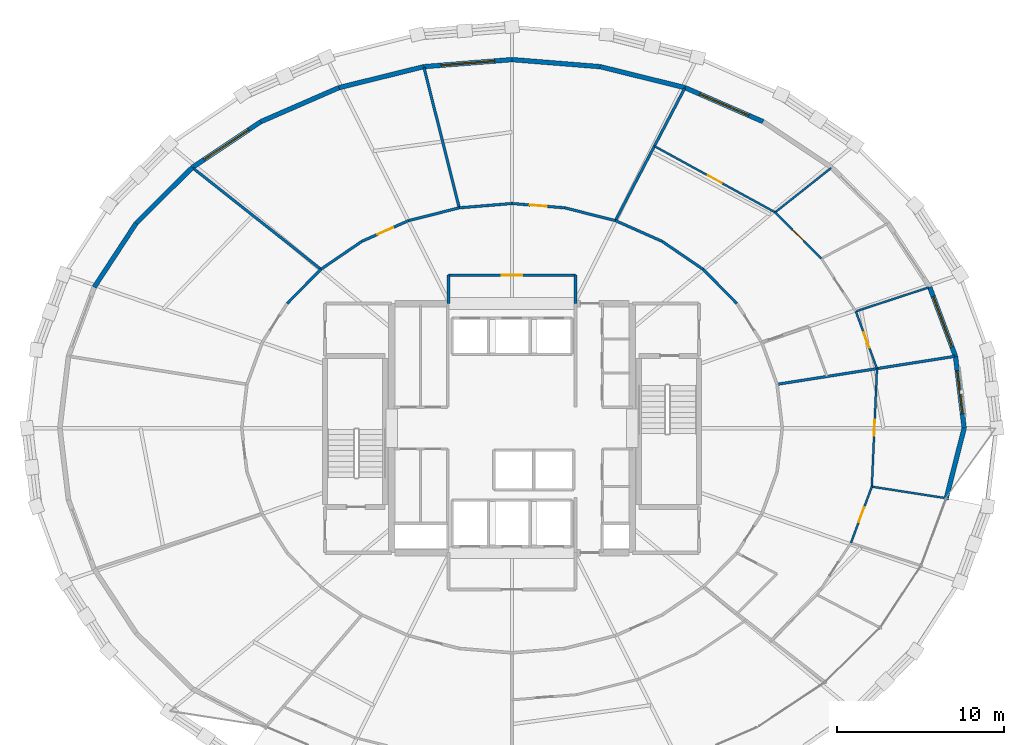
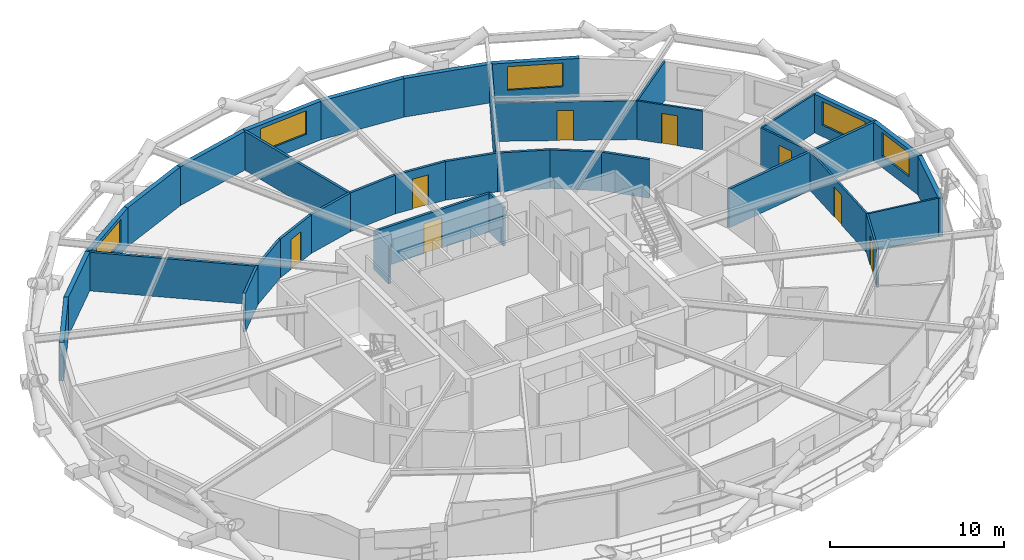
# One storey, part 18 of 22: 37 walls, 8 doors, 5 windows, 13 openings.
"""IFC4 building model written with IfcOpenShell, lengths in metres."""

from ifc_helpers import new_model, si_unit, direction, frame, frame_2d, origin, place, context, subcontext, project, spatial, rectangle, extrude, material, layer, layer_set, type_object, element, fill, save


model = new_model("IFC4")

# Units and contexts
model_context = context("Model", 3, precision=1e-05, world=origin(), true_north=direction((0.0, 1.0)))
body_context = subcontext(model_context, "Body", "Model", "MODEL_VIEW")
ifc_project = project(units=[si_unit("LENGTHUNIT", "METRE"), si_unit("AREAUNIT", "SQUARE_METRE"), si_unit("VOLUMEUNIT", "CUBIC_METRE"), si_unit("PLANEANGLEUNIT", "RADIAN"), si_unit("MASSUNIT", "GRAM", prefix="KILO")], contexts=[model_context])

# Site, building, storey
site_placement = place(None, origin())
site = spatial("IfcSite", under=ifc_project, at=site_placement, CompositionType="ELEMENT")
building_placement = place(site_placement, origin())
building = spatial("IfcBuilding", under=site, at=building_placement, Name="Veldorina Hangang Commons", CompositionType="ELEMENT")
storey_placement = place(building_placement, frame((0.0, 0.0, 80.800048828125)))
storey = spatial("IfcBuildingStorey", under=building, at=storey_placement, Name="L20", CompositionType="ELEMENT", Elevation=80.800048828125)

# Wall, opening, window
ifc_material_1 = material(Name="Stone Roman Travertine", Category="masonry")
ifc_layer_1 = layer(ifc_material_1, 0.280029296875)
ifc_layer_set_1 = layer_set([ifc_layer_1], Name="Stone Roman Travertine")
wall_type_1 = type_object("IfcWallType", Name="EW-TRAV-280", PredefinedType="STANDARD", material=ifc_layer_set_1)
wall_1_placement = place(storey_placement, frame((59.0400390625, 24.0, 0.0), z_axis=(0.0, 0.0, 1.0), x_axis=(-0.119954269921, 0.992779418163, 0.0)))
wall_1 = element("IfcWall", 1, at=wall_1_placement, inside=storey, type_object=wall_type_1, Name="L20 travertine facade wall 00", PredefinedType="STANDARD", context=body_context, shape_type="SweptSolid", body=[
    extrude(rectangle(XDim=4.3310546875, YDim=0.280029296875, at=frame_2d((2.16552734375, 0.0))), origin(), (0.0, 0.0, 1.0), 2.7099609375),
])
opening_1_placement = place(wall_1_placement, frame((0.865478515625, 0.0, 0.800048828125)))
opening_1 = element("IfcOpeningElement", 2, at=opening_1_placement, cuts=wall_1, Name="Opening W-02", PredefinedType="OPENING", context=body_context, shape_type="SweptSolid", body=[
    extrude(rectangle(XDim=2.60009765625, YDim=1.64990234375, at=frame_2d((1.300048828125, 0.824951171875))), frame((0.0, 0.14990234375, 0.0), z_axis=(0.0, -1.0, 0.0), x_axis=(1.0, 0.0, 0.0)), (0.0, 0.0, 1.0), 0.300048828125),
])
ifc_material_2 = material(Name="Glass Low-E Triple IGU", Category="glass")
window_type_1 = type_object("IfcWindowType", Name="WIN-TWR-2600", PartitioningType="SINGLE_PANEL", PredefinedType="WINDOW", material=ifc_material_2)
window_1_placement = place(opening_1_placement, origin())
window_1 = element("IfcWindow", 3, at=window_1_placement, inside=storey, type_object=window_type_1, Name="L20 facade window 00", OverallHeight=1.64990234375, OverallWidth=2.60009765625, PartitioningType="SINGLE_PANEL", PredefinedType="WINDOW", context=body_context, shape_type="SweptSolid", body=[
    extrude(rectangle(XDim=2.60009765625, YDim=1.64990234375, at=frame_2d((1.300048828125, 0.824951171875))), frame((0.0, 0.030029296875, 0.0), z_axis=(0.0, -1.0, 0.0), x_axis=(1.0, 0.0, 0.0)), (0.0, 0.0, 1.0), 0.06005859375),
])
fill(opening_1, window_1)

wall_2_placement = place(storey_placement, frame((58.5205078125, 28.2998046875, 0.0), z_axis=(0.0, 0.0, 1.0), x_axis=(-0.348811713435, 0.93719282358, 0.0)))
wall_2 = element("IfcWall", 4, at=wall_2_placement, inside=storey, type_object=wall_type_1, Name="L20 travertine facade wall 01", PredefinedType="STANDARD", context=body_context, shape_type="SweptSolid", body=[
    extrude(rectangle(XDim=4.41162109375, YDim=0.280029296875, at=frame_2d((2.205810546875, 0.0))), origin(), (0.0, 0.0, 1.0), 2.7099609375),
])
opening_2_placement = place(wall_2_placement, frame((0.605712890625, 0.0, 0.800048828125)))
opening_2 = element("IfcOpeningElement", 5, at=opening_2_placement, cuts=wall_2, Name="Opening W-01", PredefinedType="OPENING", context=body_context, shape_type="SweptSolid", body=[
    extrude(rectangle(XDim=3.199951171875, YDim=1.64990234375, at=frame_2d((1.60009765625, 0.824951171875))), frame((0.0, 0.14990234375, 0.0), z_axis=(0.0, -1.0, 0.0), x_axis=(1.0, 0.0, 0.0)), (0.0, 0.0, 1.0), 0.300048828125),
])
window_type_2 = type_object("IfcWindowType", Name="WIN-TWR-3200", PartitioningType="SINGLE_PANEL", PredefinedType="WINDOW", material=ifc_material_2)
window_2_placement = place(opening_2_placement, origin())
window_2 = element("IfcWindow", 6, at=window_2_placement, inside=storey, type_object=window_type_2, Name="L20 facade window 01", OverallHeight=1.64990234375, OverallWidth=3.199951171875, PartitioningType="SINGLE_PANEL", PredefinedType="WINDOW", context=body_context, shape_type="SweptSolid", body=[
    extrude(rectangle(XDim=3.199951171875, YDim=1.64990234375, at=frame_2d((1.60009765625, 0.824951171875))), frame((0.0, 0.030029296875, 0.0), z_axis=(0.0, -1.0, 0.0), x_axis=(1.0, 0.0, 0.0)), (0.0, 0.0, 1.0), 0.06005859375),
])
fill(opening_2, window_2)

wall_3_placement = place(storey_placement, frame((47.022705078125, 42.32568359375, 0.0), z_axis=(0.0, 0.0, 1.0), x_axis=(-0.91677599057, 0.399401781561, 0.0)))
wall_3 = element("IfcWall", 7, at=wall_3_placement, inside=storey, type_object=wall_type_1, Name="L20 travertine facade wall 05", PredefinedType="STANDARD", context=body_context, shape_type="SweptSolid", body=[
    extrude(rectangle(XDim=5.09912109375, YDim=0.280029296875, at=frame_2d((2.549560546875, 0.0))), origin(), (0.0, 0.0, 1.0), 2.7099609375),
])
opening_3_placement = place(wall_3_placement, frame((0.94970703125, 0.0, 0.800048828125)))
opening_3 = element("IfcOpeningElement", 8, at=opening_3_placement, cuts=wall_3, Name="Opening W-01", PredefinedType="OPENING", context=body_context, shape_type="SweptSolid", body=[
    extrude(rectangle(XDim=3.199951171875, YDim=1.64990234375, at=frame_2d((1.60009765625, 0.824951171875))), frame((0.0, 0.14990234375, 0.0), z_axis=(0.0, -1.0, 0.0), x_axis=(1.0, 0.0, 0.0)), (0.0, 0.0, 1.0), 0.300048828125),
])
window_3_placement = place(opening_3_placement, origin())
window_3 = element("IfcWindow", 9, at=window_3_placement, inside=storey, type_object=window_type_2, Name="L20 facade window 05", OverallHeight=1.64990234375, OverallWidth=3.199951171875, PartitioningType="SINGLE_PANEL", PredefinedType="WINDOW", context=body_context, shape_type="SweptSolid", body=[
    extrude(rectangle(XDim=3.199951171875, YDim=1.64990234375, at=frame_2d((1.60009765625, 0.824951171875))), frame((0.0, 0.030029296875, 0.0), z_axis=(0.0, -1.0, 0.0), x_axis=(1.0, 0.0, 0.0)), (0.0, 0.0, 1.0), 0.06005859375),
])
fill(opening_3, window_3)

# Walls
wall_4_placement = place(storey_placement, frame((42.347900390625, 44.3623046875, 0.0), z_axis=(0.0, 0.0, 1.0), x_axis=(-0.970771314461, 0.240006364539, 0.0)))
element("IfcWall", 10, at=wall_4_placement, inside=storey, type_object=wall_type_1, Name="L20 travertine facade wall 06", PredefinedType="STANDARD", context=body_context, shape_type="SweptSolid", body=[
    extrude(rectangle(XDim=5.2255859375, YDim=0.280029296875, at=frame_2d((2.61279296875, 0.0))), origin(), (0.0, 0.0, 1.0), 2.7099609375),
])
wall_5_placement = place(storey_placement, frame((37.275146484375, 45.616455078125, 0.0), z_axis=(0.0, 0.0, 1.0), x_axis=(-0.996791618346, 0.080040424762, 0.0)))
element("IfcWall", 11, at=wall_5_placement, inside=storey, type_object=wall_type_1, Name="L20 travertine facade wall 07", PredefinedType="STANDARD", context=body_context, shape_type="SweptSolid", body=[
    extrude(rectangle(XDim=5.292236328125, YDim=0.280029296875, at=frame_2d((2.64599609375, 0.0))), origin(), (0.0, 0.0, 1.0), 2.7099609375),
])

# Wall, opening, window
wall_6_placement = place(storey_placement, frame((32.0, 46.0400390625, 0.0), z_axis=(0.0, 0.0, 1.0), x_axis=(-0.996791618346, -0.080040424762, 0.0)))
wall_6 = element("IfcWall", 12, at=wall_6_placement, inside=storey, type_object=wall_type_1, Name="L20 travertine facade wall 08", PredefinedType="STANDARD", context=body_context, shape_type="SweptSolid", body=[
    extrude(rectangle(XDim=5.292236328125, YDim=0.280029296875, at=frame_2d((2.64599609375, 0.0))), origin(), (0.0, 0.0, 1.0), 2.7099609375),
])
opening_4_placement = place(wall_6_placement, frame((1.046142578125, 0.0, 0.800048828125)))
opening_4 = element("IfcOpeningElement", 13, at=opening_4_placement, cuts=wall_6, Name="Opening W-01", PredefinedType="OPENING", context=body_context, shape_type="SweptSolid", body=[
    extrude(rectangle(XDim=3.199951171875, YDim=1.64990234375, at=frame_2d((1.60009765625, 0.824951171875))), frame((0.0, 0.14990234375, 0.0), z_axis=(0.0, -1.0, 0.0), x_axis=(1.0, 0.0, 0.0)), (0.0, 0.0, 1.0), 0.300048828125),
])
window_4_placement = place(opening_4_placement, origin())
window_4 = element("IfcWindow", 14, at=window_4_placement, inside=storey, type_object=window_type_2, Name="L20 facade window 08", OverallHeight=1.64990234375, OverallWidth=3.199951171875, PartitioningType="SINGLE_PANEL", PredefinedType="WINDOW", context=body_context, shape_type="SweptSolid", body=[
    extrude(rectangle(XDim=3.199951171875, YDim=1.64990234375, at=frame_2d((1.60009765625, 0.824951171875))), frame((0.0, 0.030029296875, 0.0), z_axis=(0.0, -1.0, 0.0), x_axis=(1.0, 0.0, 0.0)), (0.0, 0.0, 1.0), 0.06005859375),
])
fill(opening_4, window_4)

# Walls
wall_7_placement = place(storey_placement, frame((26.724853515625, 45.616455078125, 0.0), z_axis=(0.0, 0.0, 1.0), x_axis=(-0.970771314461, -0.240006364539, 0.0)))
element("IfcWall", 15, at=wall_7_placement, inside=storey, type_object=wall_type_1, Name="L20 travertine facade wall 09", PredefinedType="STANDARD", context=body_context, shape_type="SweptSolid", body=[
    extrude(rectangle(XDim=5.2255859375, YDim=0.280029296875, at=frame_2d((2.61279296875, 0.0))), origin(), (0.0, 0.0, 1.0), 2.7099609375),
])
wall_8_placement = place(storey_placement, frame((21.652099609375, 44.3623046875, 0.0), z_axis=(0.0, 0.0, 1.0), x_axis=(-0.91677599057, -0.399401781561, 0.0)))
element("IfcWall", 16, at=wall_8_placement, inside=storey, type_object=wall_type_1, Name="L20 travertine facade wall 10", PredefinedType="STANDARD", context=body_context, shape_type="SweptSolid", body=[
    extrude(rectangle(XDim=5.09912109375, YDim=0.280029296875, at=frame_2d((2.549560546875, 0.0))), origin(), (0.0, 0.0, 1.0), 2.7099609375),
])

# Wall, opening, window
wall_9_placement = place(storey_placement, frame((16.977294921875, 42.32568359375, 0.0), z_axis=(0.0, 0.0, 1.0), x_axis=(-0.831173050052, -0.556013813558, 0.0)))
wall_9 = element("IfcWall", 17, at=wall_9_placement, inside=storey, type_object=wall_type_1, Name="L20 travertine facade wall 11", PredefinedType="STANDARD", context=body_context, shape_type="SweptSolid", body=[
    extrude(rectangle(XDim=4.9296875, YDim=0.280029296875, at=frame_2d((2.46484375, 0.0))), origin(), (0.0, 0.0, 1.0), 2.7099609375),
])
opening_5_placement = place(wall_9_placement, frame((0.864990234375, 0.0, 0.800048828125)))
opening_5 = element("IfcOpeningElement", 18, at=opening_5_placement, cuts=wall_9, Name="Opening W-01", PredefinedType="OPENING", context=body_context, shape_type="SweptSolid", body=[
    extrude(rectangle(XDim=3.199951171875, YDim=1.64990234375, at=frame_2d((1.60009765625, 0.824951171875))), frame((0.0, 0.14990234375, 0.0), z_axis=(0.0, -1.0, 0.0), x_axis=(1.0, 0.0, 0.0)), (0.0, 0.0, 1.0), 0.300048828125),
])
window_5_placement = place(opening_5_placement, origin())
window_5 = element("IfcWindow", 19, at=window_5_placement, inside=storey, type_object=window_type_2, Name="L20 facade window 11", OverallHeight=1.64990234375, OverallWidth=3.199951171875, PartitioningType="SINGLE_PANEL", PredefinedType="WINDOW", context=body_context, shape_type="SweptSolid", body=[
    extrude(rectangle(XDim=3.199951171875, YDim=1.64990234375, at=frame_2d((1.60009765625, 0.824951171875))), frame((0.0, 0.030029296875, 0.0), z_axis=(0.0, -1.0, 0.0), x_axis=(1.0, 0.0, 0.0)), (0.0, 0.0, 1.0), 0.06005859375),
])
fill(opening_5, window_5)

# Walls
wall_10_placement = place(storey_placement, frame((12.8798828125, 39.584716796875, 0.0), z_axis=(0.0, 0.0, 1.0), x_axis=(-0.709523691603, -0.704681581322, 0.0)))
element("IfcWall", 20, at=wall_10_placement, inside=storey, type_object=wall_type_1, Name="L20 travertine facade wall 12", PredefinedType="STANDARD", context=body_context, shape_type="SweptSolid", body=[
    extrude(rectangle(XDim=4.739501953125, YDim=0.280029296875, at=frame_2d((2.36962890625, 0.0))), origin(), (0.0, 0.0, 1.0), 2.7099609375),
])
wall_11_placement = place(storey_placement, frame((9.51708984375, 36.244873046875, 0.0), z_axis=(0.0, 0.0, 1.0), x_axis=(-0.54836617539, -0.83623832589, 0.0)))
element("IfcWall", 21, at=wall_11_placement, inside=storey, type_object=wall_type_1, Name="L20 travertine facade wall 13", PredefinedType="STANDARD", context=body_context, shape_type="SweptSolid", body=[
    extrude(rectangle(XDim=4.556884765625, YDim=0.280029296875, at=frame_2d((2.2783203125, 0.0))), origin(), (0.0, 0.0, 1.0), 2.7099609375),
])
wall_12_placement = place(storey_placement, frame((57.948486328125, 19.720458984375, 0.0), z_axis=(0.0, 0.0, 1.0), x_axis=(0.247150260181, 0.968977166342, 0.0)))
element("IfcWall", 22, at=wall_12_placement, inside=storey, type_object=wall_type_1, Name="L20 travertine facade wall 31", PredefinedType="STANDARD", context=body_context, shape_type="SweptSolid", body=[
    extrude(rectangle(XDim=4.41650390625, YDim=0.280029296875, at=frame_2d((2.208251953125, 0.0))), origin(), (0.0, 0.0, 1.0), 2.7099609375),
])
ifc_material_3 = material(Name="Gypsum Fire-Rated Twin Stud Wall", Category="gypsum")
ifc_layer_2 = layer(ifc_material_3, 0.159912109375)
ifc_layer_set_2 = layer_set([ifc_layer_2], Name="Gypsum Fire-Rated Twin Stud Wall")
wall_type_2 = type_object("IfcWallType", Name="WL-FIRE-160", PredefinedType="SOLIDWALL", material=ifc_layer_set_2)
for number, where, z_axis, x_axis, name in (
    (23, (28.199951171875, 31.449951171875, 0.0), (0.0, 0.0, 1.0), (0.0, 1.0, 0.0), "L20 North lobby west wall 032"),
    (24, (35.800048828125, 31.449951171875, 0.0), (0.0, 0.0, 1.0), (0.0, 1.0, 0.0), "L20 North lobby east wall 033"),
):
    element("IfcWall", number, at=place(storey_placement, frame(where, z_axis=z_axis, x_axis=x_axis)), inside=storey, type_object=wall_type_2, Name=name, PredefinedType="SOLIDWALL", context=body_context, shape_type="SweptSolid", body=[
        extrude(rectangle(XDim=1.699951171875, YDim=0.159912109375, at=frame_2d((0.85009765625, 0.0))), origin(), (0.0, 0.0, 1.0), 2.7099609375),
    ])

# Wall, opening, door
wall_13_placement = place(storey_placement, frame((28.199951171875, 33.14990234375, 0.0), z_axis=(0.0, 0.0, 1.0), x_axis=(1.0, 0.0, 0.0)))
wall_13 = element("IfcWall", 25, at=wall_13_placement, inside=storey, type_object=wall_type_2, Name="L20 North lobby north wall 034", PredefinedType="SOLIDWALL", context=body_context, shape_type="SweptSolid", body=[
    extrude(rectangle(XDim=7.60009765625, YDim=0.159912109375, at=frame_2d((3.800048828125, 0.0))), origin(), (0.0, 0.0, 1.0), 2.7099609375),
])
opening_6_placement = place(wall_13_placement, frame((3.199951171875, 0.0, 0.0)))
opening_6 = element("IfcOpeningElement", 26, at=opening_6_placement, cuts=wall_13, Name="Opening D-09", PredefinedType="OPENING", context=body_context, shape_type="SweptSolid", body=[
    extrude(rectangle(XDim=1.199951171875, YDim=2.10009765625, at=frame_2d((0.60009765625, 1.050048828125))), frame((0.0, 0.08984375, 0.0), z_axis=(0.0, -1.0, 0.0), x_axis=(1.0, 0.0, 0.0)), (0.0, 0.0, 1.0), 0.179931640625),
])
ifc_material_4 = material(Name="Steel Fire-Rated Corridor Door", Category="steel")
door_type_1 = type_object("IfcDoorType", Name="DR-FIRE-1200", OperationType="SINGLE_SWING_LEFT", PredefinedType="DOOR", material=ifc_material_4)
door_1_placement = place(opening_6_placement, origin())
door_1 = element("IfcDoor", 27, at=door_1_placement, inside=storey, type_object=door_type_1, Name="L20 North lift lobby corridor door 012", OperationType="SINGLE_SWING_RIGHT", OverallHeight=2.10009765625, OverallWidth=1.199951171875, PredefinedType="DOOR", context=body_context, shape_type="SweptSolid", body=[
    extrude(rectangle(XDim=1.199951171875, YDim=2.10009765625, at=frame_2d((0.60009765625, 1.050048828125))), frame((0.0, 0.02490234375, 0.0), z_axis=(0.0, -1.0, 0.0), x_axis=(1.0, 0.0, 0.0)), (0.0, 0.0, 1.0), 0.050048828125),
])
fill(opening_6, door_1)

# Walls
wall_14_placement = place(storey_placement, frame((45.438232421875, 31.46337890625, 0.0), z_axis=(0.0, 0.0, 1.0), x_axis=(-0.702569520063, 0.711615113301, 0.0)))
element("IfcWall", 28, at=wall_14_placement, inside=storey, type_object=wall_type_2, Name="L20 Corridor outer wall 03 053", PredefinedType="SOLIDWALL", context=body_context, shape_type="SweptSolid", body=[
    extrude(rectangle(XDim=2.86083984375, YDim=0.159912109375, at=frame_2d((1.430419921875, 0.0))), origin(), (0.0, 0.0, 1.0), 2.7099609375),
])
wall_15_placement = place(storey_placement, frame((43.42822265625, 33.499267578125, 0.0), z_axis=(0.0, 0.0, 1.0), x_axis=(-0.826112340767, 0.563505457323, 0.0)))
element("IfcWall", 29, at=wall_15_placement, inside=storey, type_object=wall_type_2, Name="L20 Corridor outer wall 04 054", PredefinedType="SOLIDWALL", context=body_context, shape_type="SweptSolid", body=[
    extrude(rectangle(XDim=2.96484375, YDim=0.159912109375, at=frame_2d((1.482421875, 0.0))), origin(), (0.0, 0.0, 1.0), 2.7099609375),
])
wall_16_placement = place(storey_placement, frame((40.97900390625, 35.169921875, 0.0), z_axis=(0.0, 0.0, 1.0), x_axis=(-0.913860932409, 0.406027334321, 0.0)))
element("IfcWall", 30, at=wall_16_placement, inside=storey, type_object=wall_type_2, Name="L20 Corridor outer wall 05 055", PredefinedType="SOLIDWALL", context=body_context, shape_type="SweptSolid", body=[
    extrude(rectangle(XDim=3.0576171875, YDim=0.159912109375, at=frame_2d((1.52880859375, 0.0))), origin(), (0.0, 0.0, 1.0), 2.7099609375),
])
wall_17_placement = place(storey_placement, frame((38.184814453125, 36.411376953125, 0.0), z_axis=(0.0, 0.0, 1.0), x_axis=(-0.969653665365, 0.244482656326, 0.0)))
element("IfcWall", 31, at=wall_17_placement, inside=storey, type_object=wall_type_2, Name="L20 Corridor outer wall 06 056", PredefinedType="SOLIDWALL", context=body_context, shape_type="SweptSolid", body=[
    extrude(rectangle(XDim=3.126708984375, YDim=0.159912109375, at=frame_2d((1.5634765625, 0.0))), origin(), (0.0, 0.0, 1.0), 2.7099609375),
])

# Wall, opening, door
wall_18_placement = place(storey_placement, frame((35.153076171875, 37.17578125, 0.0), z_axis=(0.0, 0.0, 1.0), x_axis=(-0.996661331307, 0.081646743207, 0.0)))
wall_18 = element("IfcWall", 32, at=wall_18_placement, inside=storey, type_object=wall_type_2, Name="L20 Corridor outer wall 07 057", PredefinedType="SOLIDWALL", context=body_context, shape_type="SweptSolid", body=[
    extrude(rectangle(XDim=3.16357421875, YDim=0.159912109375, at=frame_2d((1.581787109375, 0.0))), origin(), (0.0, 0.0, 1.0), 2.7099609375),
])
opening_7_placement = place(wall_18_placement, frame((1.081787109375, 0.0, 0.0)))
opening_7 = element("IfcOpeningElement", 33, at=opening_7_placement, cuts=wall_18, Name="Opening D-05", PredefinedType="OPENING", context=body_context, shape_type="SweptSolid", body=[
    extrude(rectangle(XDim=1.0, YDim=2.10009765625, at=frame_2d((0.5, 1.050048828125))), frame((0.0, 0.08984375, 0.0), z_axis=(0.0, -1.0, 0.0), x_axis=(1.0, 0.0, 0.0)), (0.0, 0.0, 1.0), 0.179931640625),
])
ifc_material_5 = material(Name="Timber Solid Core Acoustic", Category="wood")
door_type_2 = type_object("IfcDoorType", Name="DR-INT-1000", OperationType="SINGLE_SWING_RIGHT", PredefinedType="DOOR", material=ifc_material_5)
door_2_placement = place(opening_7_placement, origin())
door_2 = element("IfcDoor", 34, at=door_2_placement, inside=storey, type_object=door_type_2, Name="L20 Floor Study Room 4 door 036", OperationType="SINGLE_SWING_RIGHT", OverallHeight=2.10009765625, OverallWidth=1.0, PredefinedType="DOOR", context=body_context, shape_type="SweptSolid", body=[
    extrude(rectangle(XDim=1.0, YDim=2.10009765625, at=frame_2d((0.5, 1.050048828125))), frame((0.0, 0.02490234375, 0.0), z_axis=(0.0, -1.0, 0.0), x_axis=(1.0, 0.0, 0.0)), (0.0, 0.0, 1.0), 0.050048828125),
])
fill(opening_7, door_2)

# Walls
wall_19_placement = place(storey_placement, frame((32.0, 37.43408203125, 0.0), z_axis=(0.0, 0.0, 1.0), x_axis=(-0.996661331307, -0.081646743207, 0.0)))
element("IfcWall", 35, at=wall_19_placement, inside=storey, type_object=wall_type_2, Name="L20 Corridor outer wall 08 058", PredefinedType="SOLIDWALL", context=body_context, shape_type="SweptSolid", body=[
    extrude(rectangle(XDim=3.16357421875, YDim=0.159912109375, at=frame_2d((1.581787109375, 0.0))), origin(), (0.0, 0.0, 1.0), 2.7099609375),
])
wall_20_placement = place(storey_placement, frame((28.846923828125, 37.17578125, 0.0), z_axis=(0.0, 0.0, 1.0), x_axis=(-0.969653665365, -0.244482656326, 0.0)))
element("IfcWall", 36, at=wall_20_placement, inside=storey, type_object=wall_type_2, Name="L20 Corridor outer wall 09 059", PredefinedType="SOLIDWALL", context=body_context, shape_type="SweptSolid", body=[
    extrude(rectangle(XDim=3.126708984375, YDim=0.159912109375, at=frame_2d((1.5634765625, 0.0))), origin(), (0.0, 0.0, 1.0), 2.7099609375),
])

# Wall, opening, door
wall_21_placement = place(storey_placement, frame((25.815185546875, 36.411376953125, 0.0), z_axis=(0.0, 0.0, 1.0), x_axis=(-0.913860932409, -0.406027334321, 0.0)))
wall_21 = element("IfcWall", 37, at=wall_21_placement, inside=storey, type_object=wall_type_2, Name="L20 Corridor outer wall 10 060", PredefinedType="SOLIDWALL", context=body_context, shape_type="SweptSolid", body=[
    extrude(rectangle(XDim=3.0576171875, YDim=0.159912109375, at=frame_2d((1.52880859375, 0.0))), origin(), (0.0, 0.0, 1.0), 2.7099609375),
])
opening_8_placement = place(wall_21_placement, frame((1.02880859375, 0.0, 0.0)))
opening_8 = element("IfcOpeningElement", 38, at=opening_8_placement, cuts=wall_21, Name="Opening D-05", PredefinedType="OPENING", context=body_context, shape_type="SweptSolid", body=[
    extrude(rectangle(XDim=1.0, YDim=2.10009765625, at=frame_2d((0.5, 1.050048828125))), frame((0.0, 0.08984375, 0.0), z_axis=(0.0, -1.0, 0.0), x_axis=(1.0, 0.0, 0.0)), (0.0, 0.0, 1.0), 0.179931640625),
])
door_3_placement = place(opening_8_placement, origin())
door_3 = element("IfcDoor", 39, at=door_3_placement, inside=storey, type_object=door_type_2, Name="L20 Floor Study Room 5 door 037", OperationType="SINGLE_SWING_LEFT", OverallHeight=2.10009765625, OverallWidth=1.0, PredefinedType="DOOR", context=body_context, shape_type="SweptSolid", body=[
    extrude(rectangle(XDim=1.0, YDim=2.10009765625, at=frame_2d((0.5, 1.050048828125))), frame((0.0, 0.02490234375, 0.0), z_axis=(0.0, -1.0, 0.0), x_axis=(1.0, 0.0, 0.0)), (0.0, 0.0, 1.0), 0.050048828125),
])
fill(opening_8, door_3)

# Walls
wall_22_placement = place(storey_placement, frame((23.02099609375, 35.169921875, 0.0), z_axis=(0.0, 0.0, 1.0), x_axis=(-0.826112340767, -0.563505457323, 0.0)))
element("IfcWall", 40, at=wall_22_placement, inside=storey, type_object=wall_type_2, Name="L20 Corridor outer wall 11 061", PredefinedType="SOLIDWALL", context=body_context, shape_type="SweptSolid", body=[
    extrude(rectangle(XDim=2.96484375, YDim=0.159912109375, at=frame_2d((1.482421875, 0.0))), origin(), (0.0, 0.0, 1.0), 2.7099609375),
])
wall_23_placement = place(storey_placement, frame((20.57177734375, 33.499267578125, 0.0), z_axis=(0.0, 0.0, 1.0), x_axis=(-0.702569520063, -0.711615113301, 0.0)))
element("IfcWall", 41, at=wall_23_placement, inside=storey, type_object=wall_type_2, Name="L20 Corridor outer wall 12 062", PredefinedType="SOLIDWALL", context=body_context, shape_type="SweptSolid", body=[
    extrude(rectangle(XDim=2.86083984375, YDim=0.159912109375, at=frame_2d((1.430419921875, 0.0))), origin(), (0.0, 0.0, 1.0), 2.7099609375),
])
wall_24_placement = place(storey_placement, frame((47.8515625, 26.620849609375, 0.0), z_axis=(0.0, 0.0, 1.0), x_axis=(0.987843119508, 0.155454080811, 0.0)))
element("IfcWall", 42, at=wall_24_placement, inside=storey, type_object=wall_type_2, Name="L20 Unit party wall 01 097", PredefinedType="SOLIDWALL", context=body_context, shape_type="SweptSolid", body=[
    extrude(rectangle(XDim=10.75, YDim=0.159912109375, at=frame_2d((5.375, 0.0))), origin(), (0.0, 0.0, 1.0), 2.7099609375),
])
wall_25_placement = place(storey_placement, frame((38.184814453125, 36.411376953125, 0.0), z_axis=(0.0, 0.0, 1.0), x_axis=(0.463854687015, 0.885911298796, 0.0)))
element("IfcWall", 43, at=wall_25_placement, inside=storey, type_object=wall_type_2, Name="L20 Unit party wall 06 107", PredefinedType="SOLIDWALL", context=body_context, shape_type="SweptSolid", body=[
    extrude(rectangle(XDim=8.925048828125, YDim=0.159912109375, at=frame_2d((4.46240234375, 0.0))), origin(), (0.0, 0.0, 1.0), 2.7099609375),
])
wall_26_placement = place(storey_placement, frame((28.846923828125, 37.17578125, 0.0), z_axis=(0.0, 0.0, 1.0), x_axis=(-0.243816614966, 0.96982135379, 0.0)))
element("IfcWall", 44, at=wall_26_placement, inside=storey, type_object=wall_type_2, Name="L20 Unit party wall 09 108", PredefinedType="SOLIDWALL", context=body_context, shape_type="SweptSolid", body=[
    extrude(rectangle(XDim=8.653564453125, YDim=0.159912109375, at=frame_2d((4.32666015625, 0.0))), origin(), (0.0, 0.0, 1.0), 2.7099609375),
])
wall_27_placement = place(storey_placement, frame((20.57177734375, 33.499267578125, 0.0), z_axis=(0.0, 0.0, 1.0), x_axis=(-0.784247697802, 0.62044786122, 0.0)))
element("IfcWall", 45, at=wall_27_placement, inside=storey, type_object=wall_type_2, Name="L20 Unit party wall 12 109", PredefinedType="SOLIDWALL", context=body_context, shape_type="SweptSolid", body=[
    extrude(rectangle(XDim=9.75830078125, YDim=0.159912109375, at=frame_2d((4.879150390625, 0.0))), origin(), (0.0, 0.0, 1.0), 2.7099609375),
])

# Wall, opening, door
ifc_material_6 = material(Name="Gypsum Acoustic Stud Partition", Category="gypsum")
ifc_layer_3 = layer(ifc_material_6, 0.1201171875)
ifc_layer_set_3 = layer_set([ifc_layer_3], Name="Gypsum Acoustic Stud Partition")
wall_type_3 = type_object("IfcWallType", Name="WL-PART-120", PredefinedType="PARTITIONING", material=ifc_layer_set_3)
wall_28_placement = place(storey_placement, frame((52.27001953125, 17.134765625, 0.0), z_axis=(0.0, 0.0, 1.0), x_axis=(0.347819358627, 0.937561567986, 0.0)))
wall_28 = element("IfcWall", 46, at=wall_28_placement, inside=storey, type_object=wall_type_3, Name="L20 Cluster 2 bed 3 front wall 093", PredefinedType="PARTITIONING", context=body_context, shape_type="SweptSolid", body=[
    extrude(rectangle(XDim=3.589599609375, YDim=0.1201171875, at=frame_2d((1.794921875, 0.0))), origin(), (0.0, 0.0, 1.0), 2.7099609375),
])
opening_9_placement = place(wall_28_placement, frame((1.319580078125, 0.0, 0.0)))
opening_9 = element("IfcOpeningElement", 47, at=opening_9_placement, cuts=wall_28, Name="Opening D-02", PredefinedType="OPENING", context=body_context, shape_type="SweptSolid", body=[
    extrude(rectangle(XDim=0.949951171875, YDim=2.10009765625, at=frame_2d((0.47509765625, 1.050048828125))), frame((0.0, 0.070068359375, 0.0), z_axis=(0.0, -1.0, 0.0), x_axis=(1.0, 0.0, 0.0)), (0.0, 0.0, 1.0), 0.14013671875),
])
door_type_3 = type_object("IfcDoorType", Name="DR-INT-950", OperationType="SINGLE_SWING_LEFT", PredefinedType="DOOR", material=ifc_material_5)
door_4_placement = place(opening_9_placement, origin())
door_4 = element("IfcDoor", 48, at=door_4_placement, inside=storey, type_object=door_type_3, Name="L20 Cluster 2 bed 3 door 028", OperationType="SINGLE_SWING_RIGHT", OverallHeight=2.10009765625, OverallWidth=0.949951171875, PredefinedType="DOOR", context=body_context, shape_type="SweptSolid", body=[
    extrude(rectangle(XDim=0.949951171875, YDim=2.10009765625, at=frame_2d((0.47509765625, 1.050048828125))), frame((0.0, 0.02490234375, 0.0), z_axis=(0.0, -1.0, 0.0), x_axis=(1.0, 0.0, 0.0)), (0.0, 0.0, 1.0), 0.050048828125),
])
fill(opening_9, door_4)

wall_29_placement = place(storey_placement, frame((53.5185546875, 20.500244140625, 0.0), z_axis=(0.0, 0.0, 1.0), x_axis=(0.043525670249, 0.999052308956, 0.0)))
wall_29 = element("IfcWall", 49, at=wall_29_placement, inside=storey, type_object=wall_type_3, Name="L20 Cluster 2 bed 4 front wall 095", PredefinedType="PARTITIONING", context=body_context, shape_type="SweptSolid", body=[
    extrude(rectangle(XDim=7.0673828125, YDim=0.1201171875, at=frame_2d((3.53369140625, 0.0))), origin(), (0.0, 0.0, 1.0), 2.7099609375),
])
opening_10_placement = place(wall_29_placement, frame((3.05859375, 0.0, 0.0)))
opening_10 = element("IfcOpeningElement", 50, at=opening_10_placement, cuts=wall_29, Name="Opening D-02", PredefinedType="OPENING", context=body_context, shape_type="SweptSolid", body=[
    extrude(rectangle(XDim=0.949951171875, YDim=2.10009765625, at=frame_2d((0.47509765625, 1.050048828125))), frame((0.0, 0.070068359375, 0.0), z_axis=(0.0, -1.0, 0.0), x_axis=(1.0, 0.0, 0.0)), (0.0, 0.0, 1.0), 0.14013671875),
])
door_5_placement = place(opening_10_placement, origin())
door_5 = element("IfcDoor", 51, at=door_5_placement, inside=storey, type_object=door_type_3, Name="L20 Cluster 2 bed 4 door 029", OperationType="SINGLE_SWING_LEFT", OverallHeight=2.10009765625, OverallWidth=0.949951171875, PredefinedType="DOOR", context=body_context, shape_type="SweptSolid", body=[
    extrude(rectangle(XDim=0.949951171875, YDim=2.10009765625, at=frame_2d((0.47509765625, 1.050048828125))), frame((0.0, 0.02490234375, 0.0), z_axis=(0.0, -1.0, 0.0), x_axis=(1.0, 0.0, 0.0)), (0.0, 0.0, 1.0), 0.050048828125),
])
fill(opening_10, door_5)

# Wall
wall_30_placement = place(storey_placement, frame((53.5185546875, 20.500244140625, 0.0), z_axis=(0.0, 0.0, 1.0), x_axis=(0.988179628111, -0.153300432438, 0.0)))
element("IfcWall", 52, at=wall_30_placement, inside=storey, type_object=wall_type_3, Name="L20 Cluster 2 bed divider 3 096", PredefinedType="PARTITIONING", context=body_context, shape_type="SweptSolid", body=[
    extrude(rectangle(XDim=4.4560546875, YDim=0.1201171875, at=frame_2d((2.22802734375, 0.0))), origin(), (0.0, 0.0, 1.0), 2.7099609375),
])

# Wall, opening, door
wall_31_placement = place(storey_placement, frame((53.826171875, 27.56103515625, 0.0), z_axis=(0.0, 0.0, 1.0), x_axis=(-0.346876529869, 0.937910802276, 0.0)))
wall_31 = element("IfcWall", 53, at=wall_31_placement, inside=storey, type_object=wall_type_3, Name="L20 Cluster 3 bed 1 front wall 100", PredefinedType="PARTITIONING", context=body_context, shape_type="SweptSolid", body=[
    extrude(rectangle(XDim=3.650634765625, YDim=0.1201171875, at=frame_2d((1.8251953125, 0.0))), origin(), (0.0, 0.0, 1.0), 2.7099609375),
])
opening_11_placement = place(wall_31_placement, frame((1.350341796875, 0.0, 0.0)))
opening_11 = element("IfcOpeningElement", 54, at=opening_11_placement, cuts=wall_31, Name="Opening D-02", PredefinedType="OPENING", context=body_context, shape_type="SweptSolid", body=[
    extrude(rectangle(XDim=0.949951171875, YDim=2.10009765625, at=frame_2d((0.47509765625, 1.050048828125))), frame((0.0, 0.070068359375, 0.0), z_axis=(0.0, -1.0, 0.0), x_axis=(1.0, 0.0, 0.0)), (0.0, 0.0, 1.0), 0.14013671875),
])
door_6_placement = place(opening_11_placement, origin())
door_6 = element("IfcDoor", 55, at=door_6_placement, inside=storey, type_object=door_type_3, Name="L20 Cluster 3 bed 1 door 032", OperationType="SINGLE_SWING_RIGHT", OverallHeight=2.10009765625, OverallWidth=0.949951171875, PredefinedType="DOOR", context=body_context, shape_type="SweptSolid", body=[
    extrude(rectangle(XDim=0.949951171875, YDim=2.10009765625, at=frame_2d((0.47509765625, 1.050048828125))), frame((0.0, 0.02490234375, 0.0), z_axis=(0.0, -1.0, 0.0), x_axis=(1.0, 0.0, 0.0)), (0.0, 0.0, 1.0), 0.050048828125),
])
fill(opening_11, door_6)

# Wall
wall_32_placement = place(storey_placement, frame((52.559814453125, 30.985107421875, 0.0), z_axis=(0.0, 0.0, 1.0), x_axis=(0.950267629024, 0.311434476622, 0.0)))
element("IfcWall", 56, at=wall_32_placement, inside=storey, type_object=wall_type_3, Name="L20 Cluster 3 bed divider 1 102", PredefinedType="PARTITIONING", context=body_context, shape_type="SweptSolid", body=[
    extrude(rectangle(XDim=4.603271484375, YDim=0.1201171875, at=frame_2d((2.3017578125, 0.0))), origin(), (0.0, 0.0, 1.0), 2.7099609375),
])

# Wall, opening, door
wall_33_placement = place(storey_placement, frame((50.503173828125, 34.14111328125, 0.0), z_axis=(0.0, 0.0, 1.0), x_axis=(-0.707293953749, 0.706919559066, 0.0)))
wall_33 = element("IfcWall", 57, at=wall_33_placement, inside=storey, type_object=wall_type_3, Name="L20 Cluster 3 bed 3 front wall 103", PredefinedType="PARTITIONING", context=body_context, shape_type="SweptSolid", body=[
    extrude(rectangle(XDim=3.91259765625, YDim=0.1201171875, at=frame_2d((1.956298828125, 0.0))), origin(), (0.0, 0.0, 1.0), 2.7099609375),
])
opening_12_placement = place(wall_33_placement, frame((1.4814453125, 0.0, 0.0)))
opening_12 = element("IfcOpeningElement", 58, at=opening_12_placement, cuts=wall_33, Name="Opening D-02", PredefinedType="OPENING", context=body_context, shape_type="SweptSolid", body=[
    extrude(rectangle(XDim=0.949951171875, YDim=2.10009765625, at=frame_2d((0.47509765625, 1.050048828125))), frame((0.0, 0.070068359375, 0.0), z_axis=(0.0, -1.0, 0.0), x_axis=(1.0, 0.0, 0.0)), (0.0, 0.0, 1.0), 0.14013671875),
])
door_7_placement = place(opening_12_placement, origin())
door_7 = element("IfcDoor", 59, at=door_7_placement, inside=storey, type_object=door_type_3, Name="L20 Cluster 3 bed 3 door 034", OperationType="SINGLE_SWING_RIGHT", OverallHeight=2.10009765625, OverallWidth=0.949951171875, PredefinedType="DOOR", context=body_context, shape_type="SweptSolid", body=[
    extrude(rectangle(XDim=0.949951171875, YDim=2.10009765625, at=frame_2d((0.47509765625, 1.050048828125))), frame((0.0, 0.02490234375, 0.0), z_axis=(0.0, -1.0, 0.0), x_axis=(1.0, 0.0, 0.0)), (0.0, 0.0, 1.0), 0.050048828125),
])
fill(opening_12, door_7)

wall_34_placement = place(storey_placement, frame((47.73583984375, 36.906982421875, 0.0), z_axis=(0.0, 0.0, 1.0), x_axis=(-0.876923693875, 0.480629623641, 0.0)))
wall_34 = element("IfcWall", 60, at=wall_34_placement, inside=storey, type_object=wall_type_3, Name="L20 Cluster 3 bed 4 front wall 105", PredefinedType="PARTITIONING", context=body_context, shape_type="SweptSolid", body=[
    extrude(rectangle(XDim=8.23291015625, YDim=0.1201171875, at=frame_2d((4.116455078125, 0.0))), origin(), (0.0, 0.0, 1.0), 2.7099609375),
])
opening_13_placement = place(wall_34_placement, frame((3.6416015625, 0.0, 0.0)))
opening_13 = element("IfcOpeningElement", 61, at=opening_13_placement, cuts=wall_34, Name="Opening D-02", PredefinedType="OPENING", context=body_context, shape_type="SweptSolid", body=[
    extrude(rectangle(XDim=0.949951171875, YDim=2.10009765625, at=frame_2d((0.47509765625, 1.050048828125))), frame((0.0, 0.070068359375, 0.0), z_axis=(0.0, -1.0, 0.0), x_axis=(1.0, 0.0, 0.0)), (0.0, 0.0, 1.0), 0.14013671875),
])
door_8_placement = place(opening_13_placement, origin())
door_8 = element("IfcDoor", 62, at=door_8_placement, inside=storey, type_object=door_type_3, Name="L20 Cluster 3 bed 4 door 035", OperationType="SINGLE_SWING_LEFT", OverallHeight=2.10009765625, OverallWidth=0.949951171875, PredefinedType="DOOR", context=body_context, shape_type="SweptSolid", body=[
    extrude(rectangle(XDim=0.949951171875, YDim=2.10009765625, at=frame_2d((0.47509765625, 1.050048828125))), frame((0.0, 0.02490234375, 0.0), z_axis=(0.0, -1.0, 0.0), x_axis=(1.0, 0.0, 0.0)), (0.0, 0.0, 1.0), 0.050048828125),
])
fill(opening_13, door_8)

# Wall
wall_35_placement = place(storey_placement, frame((47.73583984375, 36.906982421875, 0.0), z_axis=(0.0, 0.0, 1.0), x_axis=(0.784224519378, 0.620477157683, 0.0)))
element("IfcWall", 63, at=wall_35_placement, inside=storey, type_object=wall_type_3, Name="L20 Cluster 3 bed divider 3 106", PredefinedType="PARTITIONING", context=body_context, shape_type="SweptSolid", body=[
    extrude(rectangle(XDim=4.265625, YDim=0.1201171875, at=frame_2d((2.1328125, 0.0))), origin(), (0.0, 0.0, 1.0), 2.7099609375),
])

save(model, "model.ifc")
